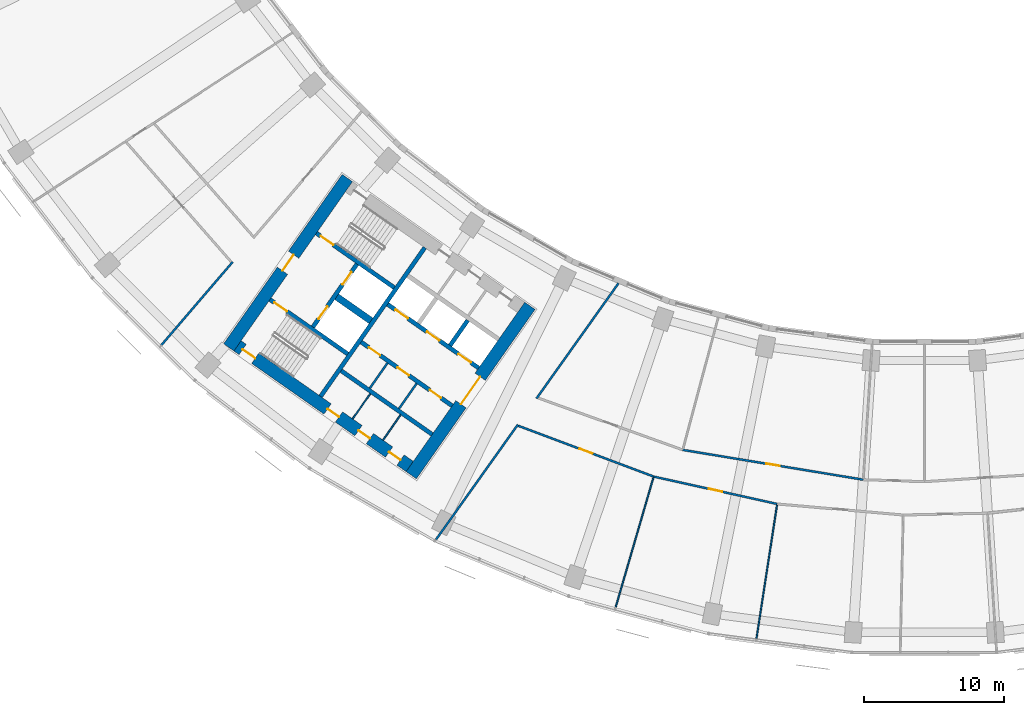
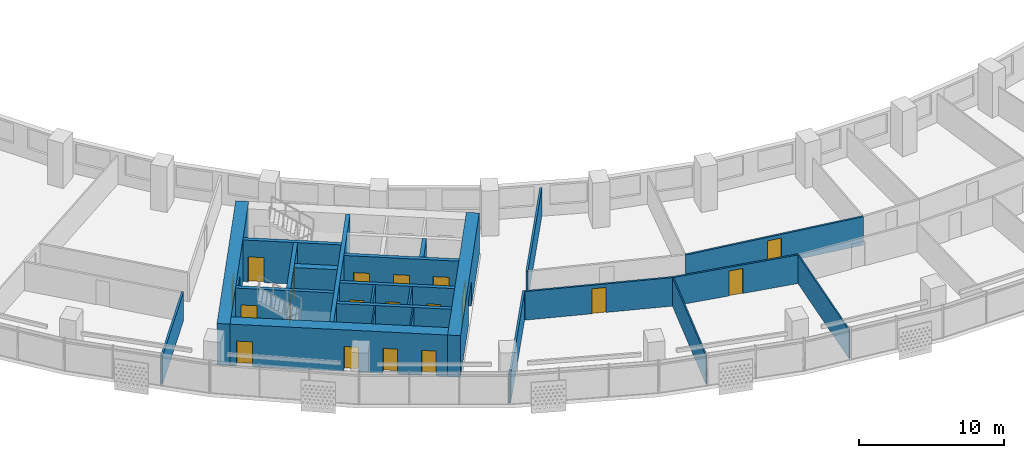
# One storey, part 3 of 29: 24 walls, 19 doors, 19 openings.
"""IFC4 building model written with IfcOpenShell, lengths in metres."""

from ifc_helpers import new_model, si_unit, direction, frame, frame_2d, origin, place, context, subcontext, project, spatial, rectangle, extrude, material, layer, layer_set, type_object, element, fill, save


model = new_model("IFC4")

# Units and contexts
model_context = context("Model", 3, precision=1e-05, world=origin(), true_north=direction((0.0, 1.0)))
body_context = subcontext(model_context, "Body", "Model", "MODEL_VIEW")
ifc_project = project(units=[si_unit("LENGTHUNIT", "METRE"), si_unit("AREAUNIT", "SQUARE_METRE"), si_unit("VOLUMEUNIT", "CUBIC_METRE"), si_unit("PLANEANGLEUNIT", "RADIAN"), si_unit("MASSUNIT", "GRAM", prefix="KILO")], contexts=[model_context])

# Site, building, storey
site_placement = place(None, origin())
site = spatial("IfcSite", under=ifc_project, at=site_placement, CompositionType="ELEMENT")
building_placement = place(site_placement, origin())
building = spatial("IfcBuilding", under=site, at=building_placement, Name="Qamariyya Broadcast Tower", CompositionType="ELEMENT")
storey_placement = place(building_placement, frame((0.0, 0.0, 113.89990234375)))
storey = spatial("IfcBuildingStorey", under=building, at=storey_placement, Name="L25", CompositionType="ELEMENT", Elevation=113.89990234375)

# Wall, opening, door
ifc_material_1 = material(Name="Concrete C70/85", Category="concrete")
ifc_layer_1 = layer(ifc_material_1, 0.89990234375)
ifc_layer_set_1 = layer_set([ifc_layer_1], Name="Core wall 900 mm Concrete C70/85")
wall_type_1 = type_object("IfcWallType", Name="Core wall 900 mm Concrete C70/85", PredefinedType="SHEAR", material=ifc_layer_set_1)
wall_1_placement = place(storey_placement, frame((-36.716796875, -66.3369140625, 0.0), z_axis=(0.0, 0.0, 1.0), x_axis=(0.573577477574, 0.819151315216, 0.0)))
wall_1 = element("IfcWall", 1, at=wall_1_placement, inside=storey, type_object=wall_type_1, Name="k-W-L25-WA", PredefinedType="SHEAR", context=body_context, shape_type="SweptSolid", body=[
    extrude(rectangle(XDim=14.800048828125, YDim=0.89990234375, at=frame_2d((7.39990234375, 0.0))), origin(), (0.0, 0.0, 1.0), 3.5),
])
opening_1_placement = place(wall_1_placement, frame((6.199951171875, 0.0, 0.0)))
opening_1 = element("IfcOpeningElement", 2, at=opening_1_placement, cuts=wall_1, Name="Opening KD3-W1", PredefinedType="OPENING", context=body_context, shape_type="SweptSolid", body=[
    extrude(rectangle(XDim=2.39990234375, YDim=2.10009765625, at=frame_2d((1.199951171875, 1.050048828125))), frame((0.0, 0.4599609375, 0.0), z_axis=(0.0, -1.0, 0.0), x_axis=(1.0, 0.0, 0.0)), (0.0, 0.0, 1.0), 0.919921875),
])
ifc_material_2 = material(Name="Steel fire-resisting door leaf", Category="steel")
door_type_1 = type_object("IfcDoorType", Name="Lift lobby door KD3", OperationType="DOUBLE_DOOR_SINGLE_SWING", PredefinedType="DOOR", material=ifc_material_2)
door_1_placement = place(opening_1_placement, origin())
door_1 = element("IfcDoor", 3, at=door_1_placement, inside=storey, type_object=door_type_1, Name="k-W-L25-WA-D1", OperationType="DOUBLE_DOOR_SINGLE_SWING", OverallHeight=2.10009765625, OverallWidth=2.39990234375, PredefinedType="DOOR", context=body_context, shape_type="SweptSolid", body=[
    extrude(rectangle(XDim=2.39990234375, YDim=2.10009765625, at=frame_2d((1.199951171875, 1.050048828125))), frame((0.0, 0.02490234375, 0.0), z_axis=(0.0, -1.0, 0.0), x_axis=(1.0, 0.0, 0.0)), (0.0, 0.0, 1.0), 0.050048828125),
])
fill(opening_1, door_1)

wall_2_placement = place(storey_placement, frame((-49.778564453125, -57.191162109375, 0.0), z_axis=(0.0, 0.0, 1.0), x_axis=(0.573577477574, 0.819151315216, 0.0)))
wall_2 = element("IfcWall", 4, at=wall_2_placement, inside=storey, type_object=wall_type_1, Name="k-W-L25-WH", PredefinedType="SHEAR", context=body_context, shape_type="SweptSolid", body=[
    extrude(rectangle(XDim=14.800048828125, YDim=0.89990234375, at=frame_2d((7.39990234375, 0.0))), origin(), (0.0, 0.0, 1.0), 3.5),
])
opening_2_placement = place(wall_2_placement, frame((6.699951171875, 0.0, 0.0)))
opening_2 = element("IfcOpeningElement", 5, at=opening_2_placement, cuts=wall_2, Name="Opening KD2-W1", PredefinedType="OPENING", context=body_context, shape_type="SweptSolid", body=[
    extrude(rectangle(XDim=1.39990234375, YDim=2.10009765625, at=frame_2d((0.699951171875, 1.050048828125))), frame((0.0, 0.4599609375, 0.0), z_axis=(0.0, -1.0, 0.0), x_axis=(1.0, 0.0, 0.0)), (0.0, 0.0, 1.0), 0.919921875),
])
door_type_2 = type_object("IfcDoorType", Name="Fire-fighting lobby door KD2", OperationType="DOUBLE_DOOR_SINGLE_SWING", PredefinedType="DOOR", material=ifc_material_2)
door_2_placement = place(opening_2_placement, origin())
door_2 = element("IfcDoor", 6, at=door_2_placement, inside=storey, type_object=door_type_2, Name="k-W-L25-WH-D16", OperationType="DOUBLE_DOOR_SINGLE_SWING", OverallHeight=2.10009765625, OverallWidth=1.39990234375, PredefinedType="DOOR", context=body_context, shape_type="SweptSolid", body=[
    extrude(rectangle(XDim=1.39990234375, YDim=2.10009765625, at=frame_2d((0.699951171875, 1.050048828125))), frame((0.0, 0.02490234375, 0.0), z_axis=(0.0, -1.0, 0.0), x_axis=(1.0, 0.0, 0.0)), (0.0, 0.0, 1.0), 0.050048828125),
])
fill(opening_2, door_2)

# Wall, openings, doors
wall_3_placement = place(storey_placement, frame((-36.827392578125, -65.710205078125, 0.0), z_axis=(0.0, 0.0, 1.0), x_axis=(-0.819153391756, 0.573574511963, 0.0)))
wall_3 = element("IfcWall", 7, at=wall_3_placement, inside=storey, type_object=wall_type_1, Name="k-W-L25-WO", PredefinedType="SHEAR", context=body_context, shape_type="SweptSolid", body=[
    extrude(rectangle(XDim=15.04541015625, YDim=0.89990234375, at=frame_2d((7.522705078125, 0.0))), origin(), (0.0, 0.0, 1.0), 3.5),
])
opening_3_placement = place(wall_3_placement, frame((0.800048828125, 0.0, 0.0)))
opening_3 = element("IfcOpeningElement", 8, at=opening_3_placement, cuts=wall_3, Name="Opening KD4-W2", PredefinedType="OPENING", context=body_context, shape_type="SweptSolid", body=[
    extrude(rectangle(XDim=1.0, YDim=2.10009765625, at=frame_2d((0.5, 1.050048828125))), frame((0.0, 0.4599609375, 0.0), z_axis=(0.0, -1.0, 0.0), x_axis=(1.0, 0.0, 0.0)), (0.0, 0.0, 1.0), 0.919921875),
])
opening_4_placement = place(wall_3_placement, frame((3.47509765625, 0.0, 0.0)))
opening_4 = element("IfcOpeningElement", 9, at=opening_4_placement, cuts=wall_3, Name="Opening KD4-W3", PredefinedType="OPENING", context=body_context, shape_type="SweptSolid", body=[
    extrude(rectangle(XDim=1.0, YDim=2.10009765625, at=frame_2d((0.5, 1.050048828125))), frame((0.0, 0.4599609375, 0.0), z_axis=(0.0, -1.0, 0.0), x_axis=(1.0, 0.0, 0.0)), (0.0, 0.0, 1.0), 0.919921875),
])
opening_5_placement = place(wall_3_placement, frame((6.175048828125, 0.0, 0.0)))
opening_5 = element("IfcOpeningElement", 10, at=opening_5_placement, cuts=wall_3, Name="Opening KD4-W4", PredefinedType="OPENING", context=body_context, shape_type="SweptSolid", body=[
    extrude(rectangle(XDim=1.0, YDim=2.10009765625, at=frame_2d((0.5, 1.050048828125))), frame((0.0, 0.4599609375, 0.0), z_axis=(0.0, -1.0, 0.0), x_axis=(1.0, 0.0, 0.0)), (0.0, 0.0, 1.0), 0.919921875),
])
opening_6_placement = place(wall_3_placement, frame((13.495361328125, 0.0, 0.0)))
opening_6 = element("IfcOpeningElement", 11, at=opening_6_placement, cuts=wall_3, Name="Opening KD1-W3", PredefinedType="OPENING", context=body_context, shape_type="SweptSolid", body=[
    extrude(rectangle(XDim=1.10009765625, YDim=2.10009765625, at=frame_2d((0.550048828125, 1.050048828125))), frame((0.0, 0.4599609375, 0.0), z_axis=(0.0, -1.0, 0.0), x_axis=(1.0, 0.0, 0.0)), (0.0, 0.0, 1.0), 0.919921875),
])
door_type_3 = type_object("IfcDoorType", Name="Riser and plant door KD4", OperationType="SINGLE_SWING_LEFT", PredefinedType="DOOR", material=ifc_material_2)
door_3_placement = place(opening_3_placement, origin())
door_3 = element("IfcDoor", 12, at=door_3_placement, inside=storey, type_object=door_type_3, Name="k-W-L25-WO-D11", OperationType="SINGLE_SWING_RIGHT", OverallHeight=2.10009765625, OverallWidth=1.0, PredefinedType="DOOR", context=body_context, shape_type="SweptSolid", body=[
    extrude(rectangle(XDim=1.0, YDim=2.10009765625, at=frame_2d((0.5, 1.050048828125))), frame((0.0, 0.02490234375, 0.0), z_axis=(0.0, -1.0, 0.0), x_axis=(1.0, 0.0, 0.0)), (0.0, 0.0, 1.0), 0.050048828125),
])
fill(opening_3, door_3)
door_4_placement = place(opening_4_placement, origin())
door_4 = element("IfcDoor", 13, at=door_4_placement, inside=storey, type_object=door_type_3, Name="k-W-L25-WO-D12", OperationType="SINGLE_SWING_LEFT", OverallHeight=2.10009765625, OverallWidth=1.0, PredefinedType="DOOR", context=body_context, shape_type="SweptSolid", body=[
    extrude(rectangle(XDim=1.0, YDim=2.10009765625, at=frame_2d((0.5, 1.050048828125))), frame((0.0, 0.02490234375, 0.0), z_axis=(0.0, -1.0, 0.0), x_axis=(1.0, 0.0, 0.0)), (0.0, 0.0, 1.0), 0.050048828125),
])
fill(opening_4, door_4)
door_5_placement = place(opening_5_placement, origin())
door_5 = element("IfcDoor", 14, at=door_5_placement, inside=storey, type_object=door_type_3, Name="k-W-L25-WO-D13", OperationType="SINGLE_SWING_RIGHT", OverallHeight=2.10009765625, OverallWidth=1.0, PredefinedType="DOOR", context=body_context, shape_type="SweptSolid", body=[
    extrude(rectangle(XDim=1.0, YDim=2.10009765625, at=frame_2d((0.5, 1.050048828125))), frame((0.0, 0.02490234375, 0.0), z_axis=(0.0, -1.0, 0.0), x_axis=(1.0, 0.0, 0.0)), (0.0, 0.0, 1.0), 0.050048828125),
])
fill(opening_5, door_5)
door_type_4 = type_object("IfcDoorType", Name="Stair door KD1", OperationType="SINGLE_SWING_LEFT", PredefinedType="DOOR", material=ifc_material_2)
door_6_placement = place(opening_6_placement, origin())
door_6 = element("IfcDoor", 15, at=door_6_placement, inside=storey, type_object=door_type_4, Name="k-W-L25-WO-D19", OperationType="SINGLE_SWING_LEFT", OverallHeight=2.10009765625, OverallWidth=1.10009765625, PredefinedType="DOOR", context=body_context, shape_type="SweptSolid", body=[
    extrude(rectangle(XDim=1.10009765625, YDim=2.10009765625, at=frame_2d((0.550048828125, 1.050048828125))), frame((0.0, 0.02490234375, 0.0), z_axis=(0.0, -1.0, 0.0), x_axis=(1.0, 0.0, 0.0)), (0.0, 0.0, 1.0), 0.050048828125),
])
fill(opening_6, door_6)

# Walls
ifc_material_3 = material(Name="Gypsum board partition")
ifc_layer_2 = layer(ifc_material_3, 0.14990234375)
ifc_layer_set_2 = layer_set([ifc_layer_2], Name="Corridor partition 150 EI 60")
wall_type_2 = type_object("IfcWallType", Name="Corridor partition 150 EI 60", PredefinedType="PARTITIONING", material=ifc_layer_set_2)
wall_4_placement = place(storey_placement, frame((-49.498779296875, -51.074951171875, 0.0), z_axis=(0.0, 0.0, 1.0), x_axis=(-0.65099144956, -0.759085062823, 0.0)))
element("IfcWall", 16, at=wall_4_placement, inside=storey, type_object=wall_type_2, Name="Partition L25-005", PredefinedType="PARTITIONING", context=body_context, shape_type="SweptSolid", body=[
    extrude(rectangle(XDim=7.83740234375, YDim=0.14990234375, at=frame_2d((3.918701171875, 0.0))), origin(), (0.0, 0.0, 1.0), 2.400146484375),
])
wall_5_placement = place(storey_placement, frame((-29.083984375, -62.710205078125, 0.0), z_axis=(0.0, 0.0, 1.0), x_axis=(-0.580031092611, -0.814594335608, 0.0)))
element("IfcWall", 17, at=wall_5_placement, inside=storey, type_object=wall_type_2, Name="Partition L25-008", PredefinedType="PARTITIONING", context=body_context, shape_type="SweptSolid", body=[
    extrude(rectangle(XDim=10.126220703125, YDim=0.14990234375, at=frame_2d((5.06298828125, 0.0))), origin(), (0.0, 0.0, 1.0), 2.400146484375),
])

# Wall, opening, door
wall_6_placement = place(storey_placement, frame((-19.365966796875, -66.434814453125, 0.0), z_axis=(0.0, 0.0, 1.0), x_axis=(-0.936236096431, 0.351371557956, 0.0)))
wall_6 = element("IfcWall", 18, at=wall_6_placement, inside=storey, type_object=wall_type_2, Name="Partition L25-009", PredefinedType="PARTITIONING", context=body_context, shape_type="SweptSolid", body=[
    extrude(rectangle(XDim=10.3515625, YDim=0.14990234375, at=frame_2d((5.17578125, 0.0))), origin(), (0.0, 0.0, 1.0), 2.400146484375),
])
opening_7_placement = place(wall_6_placement, frame((4.67578125, 0.0, 0.0)))
opening_7 = element("IfcOpeningElement", 19, at=opening_7_placement, cuts=wall_6, Name="Opening L25-D01", PredefinedType="OPENING", context=body_context, shape_type="SweptSolid", body=[
    extrude(rectangle(XDim=1.0, YDim=2.10009765625, at=frame_2d((0.5, 1.050048828125))), frame((0.0, 0.0849609375, 0.0), z_axis=(0.0, -1.0, 0.0), x_axis=(1.0, 0.0, 0.0)), (0.0, 0.0, 1.0), 0.169921875),
])
ifc_material_4 = material(Name="Timber fire door leaf", Category="wood")
door_type_5 = type_object("IfcDoorType", Name="Fire door 1000 x 2100 FD60", OperationType="NOTDEFINED", PredefinedType="DOOR", material=ifc_material_4)
door_7_placement = place(opening_7_placement, origin())
door_7 = element("IfcDoor", 20, at=door_7_placement, inside=storey, type_object=door_type_5, Name="Door L25-D01", OperationType="SINGLE_SWING_RIGHT", OverallHeight=2.10009765625, OverallWidth=1.0, PredefinedType="DOOR", context=body_context, shape_type="SweptSolid", body=[
    extrude(rectangle(XDim=1.0, YDim=2.10009765625, at=frame_2d((0.5, 1.050048828125))), frame((0.0, 0.02490234375, 0.0), z_axis=(0.0, -1.0, 0.0), x_axis=(1.0, 0.0, 0.0)), (0.0, 0.0, 1.0), 0.050048828125),
])
fill(opening_7, door_7)

# Wall
wall_7_placement = place(storey_placement, frame((-21.8837890625, -52.59765625, 0.0), z_axis=(0.0, 0.0, 1.0), x_axis=(-0.580016763963, -0.814604538118, 0.0)))
element("IfcWall", 21, at=wall_7_placement, inside=storey, type_object=wall_type_2, Name="Partition L25-012", PredefinedType="PARTITIONING", context=body_context, shape_type="SweptSolid", body=[
    extrude(rectangle(XDim=10.12109375, YDim=0.14990234375, at=frame_2d((5.060546875, 0.0))), origin(), (0.0, 0.0, 1.0), 2.400146484375),
])

# Wall, opening, door
wall_8_placement = place(storey_placement, frame((-10.52880859375, -68.394287109375, 0.0), z_axis=(0.0, 0.0, 1.0), x_axis=(-0.976288493125, 0.216473504595, 0.0)))
wall_8 = element("IfcWall", 22, at=wall_8_placement, inside=storey, type_object=wall_type_2, Name="Partition L25-013", PredefinedType="PARTITIONING", context=body_context, shape_type="SweptSolid", body=[
    extrude(rectangle(XDim=9.0517578125, YDim=0.14990234375, at=frame_2d((4.52587890625, 0.0))), origin(), (0.0, 0.0, 1.0), 2.400146484375),
])
opening_8_placement = place(wall_8_placement, frame((4.02587890625, 0.0, 0.0)))
opening_8 = element("IfcOpeningElement", 23, at=opening_8_placement, cuts=wall_8, Name="Opening L25-D02", PredefinedType="OPENING", context=body_context, shape_type="SweptSolid", body=[
    extrude(rectangle(XDim=1.0, YDim=2.10009765625, at=frame_2d((0.5, 1.050048828125))), frame((0.0, 0.0849609375, 0.0), z_axis=(0.0, -1.0, 0.0), x_axis=(1.0, 0.0, 0.0)), (0.0, 0.0, 1.0), 0.169921875),
])
door_8_placement = place(opening_8_placement, origin())
door_8 = element("IfcDoor", 24, at=door_8_placement, inside=storey, type_object=door_type_5, Name="Door L25-D02", OperationType="SINGLE_SWING_RIGHT", OverallHeight=2.10009765625, OverallWidth=1.0, PredefinedType="DOOR", context=body_context, shape_type="SweptSolid", body=[
    extrude(rectangle(XDim=1.0, YDim=2.10009765625, at=frame_2d((0.5, 1.050048828125))), frame((0.0, 0.02490234375, 0.0), z_axis=(0.0, -1.0, 0.0), x_axis=(1.0, 0.0, 0.0)), (0.0, 0.0, 1.0), 0.050048828125),
])
fill(opening_8, door_8)

wall_9_placement = place(storey_placement, frame((-17.2890625, -64.52392578125, 0.0), z_axis=(0.0, 0.0, 1.0), x_axis=(0.986644208406, -0.162890165508, 0.0)))
wall_9 = element("IfcWall", 25, at=wall_9_placement, inside=storey, type_object=wall_type_2, Name="Partition L25-014", PredefinedType="PARTITIONING", context=body_context, shape_type="SweptSolid", body=[
    extrude(rectangle(XDim=13.094970703125, YDim=0.14990234375, at=frame_2d((6.54736328125, 0.0))), origin(), (0.0, 0.0, 1.0), 2.400146484375),
])
opening_9_placement = place(wall_9_placement, frame((6.047607421875, 0.0, 0.0)))
opening_9 = element("IfcOpeningElement", 26, at=opening_9_placement, cuts=wall_9, Name="Opening L25-D09", PredefinedType="OPENING", context=body_context, shape_type="SweptSolid", body=[
    extrude(rectangle(XDim=1.0, YDim=2.10009765625, at=frame_2d((0.5, 1.050048828125))), frame((0.0, 0.0849609375, 0.0), z_axis=(0.0, -1.0, 0.0), x_axis=(1.0, 0.0, 0.0)), (0.0, 0.0, 1.0), 0.169921875),
])
door_9_placement = place(opening_9_placement, origin())
door_9 = element("IfcDoor", 27, at=door_9_placement, inside=storey, type_object=door_type_5, Name="Door L25-D09", OperationType="SINGLE_SWING_RIGHT", OverallHeight=2.10009765625, OverallWidth=1.0, PredefinedType="DOOR", context=body_context, shape_type="SweptSolid", body=[
    extrude(rectangle(XDim=1.0, YDim=2.10009765625, at=frame_2d((0.5, 1.050048828125))), frame((0.0, 0.02490234375, 0.0), z_axis=(0.0, -1.0, 0.0), x_axis=(1.0, 0.0, 0.0)), (0.0, 0.0, 1.0), 0.050048828125),
])
fill(opening_9, door_9)

# Walls
ifc_material_5 = material(Name="Concrete C60/75", Category="concrete")
ifc_layer_3 = layer(ifc_material_5, 0.5)
ifc_layer_set_3 = layer_set([ifc_layer_3], Name="Fire-fighting lobby divider wall 500 mm Concrete C60/75")
wall_type_3 = type_object("IfcWallType", Name="Fire-fighting lobby divider wall 500 mm Concrete C60/75", PredefinedType="SOLIDWALL", material=ifc_layer_set_3)
wall_10_placement = place(storey_placement, frame((-39.59912109375, -55.28515625, 0.0), z_axis=(0.0, 0.0, 1.0), x_axis=(-0.819136323161, 0.573598887793, 0.0)))
element("IfcWall", 28, at=wall_10_placement, inside=storey, type_object=wall_type_3, Name="k-W-L25-FD", PredefinedType="SOLIDWALL", context=body_context, shape_type="SweptSolid", body=[
    extrude(rectangle(XDim=2.999755859375, YDim=0.5, at=frame_2d((1.5, 0.0))), origin(), (0.0, 0.0, 1.0), 3.5),
])
ifc_material_6 = material(Name="Gypsum board partition on steel studs", Category="steel")
ifc_layer_4 = layer(ifc_material_6, 0.14990234375)
ifc_layer_set_4 = layer_set([ifc_layer_4], Name="Gypsum board partition 150 mm")
wall_type_4 = type_object("IfcWallType", Name="Gypsum board partition 150 mm", PredefinedType="PARTITIONING", material=ifc_layer_set_4)
for number, where, z_axis, x_axis, name in (
    (29, (-36.330810546875, -59.77099609375, 0.0), (0.0, 0.0, 1.0), (-0.573633636671, -0.819111989218, 0.0), "k-W-L25-SC300"),
    (30, (-38.419677734375, -58.308349609375, 0.0), (0.0, 0.0, 1.0), (-0.573633636671, -0.819111989218, 0.0), "k-W-L25-SC555"),
):
    element("IfcWall", number, at=place(storey_placement, frame(where, z_axis=z_axis, x_axis=x_axis)), inside=storey, type_object=wall_type_4, Name=name, PredefinedType="PARTITIONING", context=body_context, shape_type="SweptSolid", body=[
        extrude(rectangle(XDim=2.199951171875, YDim=0.14990234375, at=frame_2d((1.10009765625, 0.0))), origin(), (0.0, 0.0, 1.0), 3.5),
    ])
ifc_layer_5 = layer(ifc_material_5, 0.300048828125)
ifc_layer_set_5 = layer_set([ifc_layer_5], Name="Lift shaft wall 300 mm Concrete C60/75")
wall_type_5 = type_object("IfcWallType", Name="Lift shaft wall 300 mm Concrete C60/75", PredefinedType="SOLIDWALL", material=ifc_layer_set_5)
wall_11_placement = place(storey_placement, frame((-43.204345703125, -60.69580078125, 0.0), z_axis=(0.0, 0.0, 1.0), x_axis=(0.573571992966, 0.819155155563, 0.0)))
element("IfcWall", 31, at=wall_11_placement, inside=storey, type_object=wall_type_5, Name="k-W-L25-WL", PredefinedType="SOLIDWALL", context=body_context, shape_type="SweptSolid", body=[
    extrude(rectangle(XDim=13.000244140625, YDim=0.300048828125, at=frame_2d((6.5, 0.0))), origin(), (0.0, 0.0, 1.0), 3.5),
])

# Wall, openings, doors
wall_12_placement = place(storey_placement, frame((-31.89453125, -58.66552734375, 0.0), z_axis=(0.0, 0.0, 1.0), x_axis=(-0.819166993208, 0.573555086491, 0.0)))
wall_12 = element("IfcWall", 32, at=wall_12_placement, inside=storey, type_object=wall_type_5, Name="k-W-L25-NF0", PredefinedType="SOLIDWALL", context=body_context, shape_type="SweptSolid", body=[
    extrude(rectangle(XDim=7.9501953125, YDim=0.300048828125, at=frame_2d((3.97509765625, 0.0))), origin(), (0.0, 0.0, 1.0), 3.5),
])
opening_10_placement = place(wall_12_placement, frame((0.675048828125, 0.0, 0.0)))
opening_10 = element("IfcOpeningElement", 33, at=opening_10_placement, cuts=wall_12, Name="Opening LD", PredefinedType="OPENING", context=body_context, shape_type="SweptSolid", body=[
    extrude(rectangle(XDim=1.10009765625, YDim=2.10009765625, at=frame_2d((0.550048828125, 1.050048828125))), frame((0.0, 0.159912109375, 0.0), z_axis=(0.0, -1.0, 0.0), x_axis=(1.0, 0.0, 0.0)), (0.0, 0.0, 1.0), 0.320068359375),
])
opening_11_placement = place(wall_12_placement, frame((3.425048828125, 0.0, 0.0)))
opening_11 = element("IfcOpeningElement", 34, at=opening_11_placement, cuts=wall_12, Name="Opening LD", PredefinedType="OPENING", context=body_context, shape_type="SweptSolid", body=[
    extrude(rectangle(XDim=1.10009765625, YDim=2.10009765625, at=frame_2d((0.550048828125, 1.050048828125))), frame((0.0, 0.159912109375, 0.0), z_axis=(0.0, -1.0, 0.0), x_axis=(1.0, 0.0, 0.0)), (0.0, 0.0, 1.0), 0.320068359375),
])
opening_12_placement = place(wall_12_placement, frame((6.175048828125, 0.0, 0.0)))
opening_12 = element("IfcOpeningElement", 35, at=opening_12_placement, cuts=wall_12, Name="Opening LD", PredefinedType="OPENING", context=body_context, shape_type="SweptSolid", body=[
    extrude(rectangle(XDim=1.10009765625, YDim=2.10009765625, at=frame_2d((0.550048828125, 1.050048828125))), frame((0.0, 0.159912109375, 0.0), z_axis=(0.0, -1.0, 0.0), x_axis=(1.0, 0.0, 0.0)), (0.0, 0.0, 1.0), 0.320068359375),
])
door_type_6 = type_object("IfcDoorType", Name="Lift landing door LD", OperationType="DOUBLE_DOOR_SLIDING", PredefinedType="DOOR", material=ifc_material_2)
door_10_placement = place(opening_10_placement, origin())
door_10 = element("IfcDoor", 36, at=door_10_placement, inside=storey, type_object=door_type_6, Name="k-W-L25-NF0-D2", OperationType="DOUBLE_DOOR_SLIDING", OverallHeight=2.10009765625, OverallWidth=1.10009765625, PredefinedType="DOOR", context=body_context, shape_type="SweptSolid", body=[
    extrude(rectangle(XDim=1.10009765625, YDim=2.10009765625, at=frame_2d((0.550048828125, 1.050048828125))), frame((0.0, 0.02490234375, 0.0), z_axis=(0.0, -1.0, 0.0), x_axis=(1.0, 0.0, 0.0)), (0.0, 0.0, 1.0), 0.050048828125),
])
fill(opening_10, door_10)
door_11_placement = place(opening_11_placement, origin())
door_11 = element("IfcDoor", 37, at=door_11_placement, inside=storey, type_object=door_type_6, Name="k-W-L25-NF0-D3", OperationType="DOUBLE_DOOR_SLIDING", OverallHeight=2.10009765625, OverallWidth=1.10009765625, PredefinedType="DOOR", context=body_context, shape_type="SweptSolid", body=[
    extrude(rectangle(XDim=1.10009765625, YDim=2.10009765625, at=frame_2d((0.550048828125, 1.050048828125))), frame((0.0, 0.02490234375, 0.0), z_axis=(0.0, -1.0, 0.0), x_axis=(1.0, 0.0, 0.0)), (0.0, 0.0, 1.0), 0.050048828125),
])
fill(opening_11, door_11)
door_12_placement = place(opening_12_placement, origin())
door_12 = element("IfcDoor", 38, at=door_12_placement, inside=storey, type_object=door_type_6, Name="k-W-L25-NF0-D4", OperationType="DOUBLE_DOOR_SLIDING", OverallHeight=2.10009765625, OverallWidth=1.10009765625, PredefinedType="DOOR", context=body_context, shape_type="SweptSolid", body=[
    extrude(rectangle(XDim=1.10009765625, YDim=2.10009765625, at=frame_2d((0.550048828125, 1.050048828125))), frame((0.0, 0.02490234375, 0.0), z_axis=(0.0, -1.0, 0.0), x_axis=(1.0, 0.0, 0.0)), (0.0, 0.0, 1.0), 0.050048828125),
])
fill(opening_12, door_12)

# Wall
wall_13_placement = place(storey_placement, frame((-33.9384765625, -57.051513671875, 0.0), z_axis=(0.0, 0.0, 1.0), x_axis=(0.573581496053, 0.819148501424, 0.0)))
element("IfcWall", 39, at=wall_13_placement, inside=storey, type_object=wall_type_5, Name="k-W-L25-ND0", PredefinedType="SOLIDWALL", context=body_context, shape_type="SweptSolid", body=[
    extrude(rectangle(XDim=2.2001953125, YDim=0.300048828125, at=frame_2d((1.10009765625, 0.0))), origin(), (0.0, 0.0, 1.0), 3.5),
])

# Wall, openings, doors
wall_14_placement = place(storey_placement, frame((-33.787353515625, -61.368896484375, 0.0), z_axis=(0.0, 0.0, 1.0), x_axis=(-0.819152564888, 0.573575692858, 0.0)))
wall_14 = element("IfcWall", 40, at=wall_14_placement, inside=storey, type_object=wall_type_5, Name="k-W-L25-SF0", PredefinedType="SOLIDWALL", context=body_context, shape_type="SweptSolid", body=[
    extrude(rectangle(XDim=7.9501953125, YDim=0.300048828125, at=frame_2d((3.97509765625, 0.0))), origin(), (0.0, 0.0, 1.0), 3.5),
])
opening_13_placement = place(wall_14_placement, frame((0.96240234375, 0.0, 0.0)))
opening_13 = element("IfcOpeningElement", 41, at=opening_13_placement, cuts=wall_14, Name="Opening KD6-W1", PredefinedType="OPENING", context=body_context, shape_type="SweptSolid", body=[
    extrude(rectangle(XDim=1.0, YDim=2.10009765625, at=frame_2d((0.5, 1.050048828125))), frame((0.0, 0.159912109375, 0.0), z_axis=(0.0, -1.0, 0.0), x_axis=(1.0, 0.0, 0.0)), (0.0, 0.0, 1.0), 0.320068359375),
])
opening_14_placement = place(wall_14_placement, frame((3.77490234375, 0.0, 0.0)))
opening_14 = element("IfcOpeningElement", 42, at=opening_14_placement, cuts=wall_14, Name="Opening KD4-W1", PredefinedType="OPENING", context=body_context, shape_type="SweptSolid", body=[
    extrude(rectangle(XDim=1.0, YDim=2.10009765625, at=frame_2d((0.5, 1.050048828125))), frame((0.0, 0.159912109375, 0.0), z_axis=(0.0, -1.0, 0.0), x_axis=(1.0, 0.0, 0.0)), (0.0, 0.0, 1.0), 0.320068359375),
])
opening_15_placement = place(wall_14_placement, frame((6.28759765625, 0.0, 0.0)))
opening_15 = element("IfcOpeningElement", 43, at=opening_15_placement, cuts=wall_14, Name="Opening KD6-W2", PredefinedType="OPENING", context=body_context, shape_type="SweptSolid", body=[
    extrude(rectangle(XDim=1.0, YDim=2.10009765625, at=frame_2d((0.5, 1.050048828125))), frame((0.0, 0.159912109375, 0.0), z_axis=(0.0, -1.0, 0.0), x_axis=(1.0, 0.0, 0.0)), (0.0, 0.0, 1.0), 0.320068359375),
])
door_type_7 = type_object("IfcDoorType", Name="Core room door KD6", OperationType="SINGLE_SWING_LEFT", PredefinedType="DOOR", material=ifc_material_2)
door_13_placement = place(opening_13_placement, origin())
door_13 = element("IfcDoor", 44, at=door_13_placement, inside=storey, type_object=door_type_7, Name="k-W-L25-SF0-D5", OperationType="SINGLE_SWING_RIGHT", OverallHeight=2.10009765625, OverallWidth=1.0, PredefinedType="DOOR", context=body_context, shape_type="SweptSolid", body=[
    extrude(rectangle(XDim=1.0, YDim=2.10009765625, at=frame_2d((0.5, 1.050048828125))), frame((0.0, 0.02490234375, 0.0), z_axis=(0.0, -1.0, 0.0), x_axis=(1.0, 0.0, 0.0)), (0.0, 0.0, 1.0), 0.050048828125),
])
fill(opening_13, door_13)
door_14_placement = place(opening_15_placement, origin())
door_14 = element("IfcDoor", 45, at=door_14_placement, inside=storey, type_object=door_type_7, Name="k-W-L25-SF0-D7", OperationType="SINGLE_SWING_RIGHT", OverallHeight=2.10009765625, OverallWidth=1.0, PredefinedType="DOOR", context=body_context, shape_type="SweptSolid", body=[
    extrude(rectangle(XDim=1.0, YDim=2.10009765625, at=frame_2d((0.5, 1.050048828125))), frame((0.0, 0.02490234375, 0.0), z_axis=(0.0, -1.0, 0.0), x_axis=(1.0, 0.0, 0.0)), (0.0, 0.0, 1.0), 0.050048828125),
])
fill(opening_15, door_14)
door_15_placement = place(opening_14_placement, origin())
door_15 = element("IfcDoor", 46, at=door_15_placement, inside=storey, type_object=door_type_3, Name="k-W-L25-SF0-D6", OperationType="SINGLE_SWING_LEFT", OverallHeight=2.10009765625, OverallWidth=1.0, PredefinedType="DOOR", context=body_context, shape_type="SweptSolid", body=[
    extrude(rectangle(XDim=1.0, YDim=2.10009765625, at=frame_2d((0.5, 1.050048828125))), frame((0.0, 0.02490234375, 0.0), z_axis=(0.0, -1.0, 0.0), x_axis=(1.0, 0.0, 0.0)), (0.0, 0.0, 1.0), 0.050048828125),
])
fill(opening_14, door_15)

# Wall
wall_15_placement = place(storey_placement, frame((-35.22119140625, -63.41650390625, 0.0), z_axis=(0.0, 0.0, 1.0), x_axis=(-0.819166993208, 0.573555086491, 0.0)))
element("IfcWall", 47, at=wall_15_placement, inside=storey, type_object=wall_type_5, Name="k-W-L25-SB0", PredefinedType="SOLIDWALL", context=body_context, shape_type="SweptSolid", body=[
    extrude(rectangle(XDim=7.9501953125, YDim=0.300048828125, at=frame_2d((3.97509765625, 0.0))), origin(), (0.0, 0.0, 1.0), 3.5),
])

# Wall, opening, door
wall_16_placement = place(storey_placement, frame((-37.935546875, -52.90966796875, 0.0), z_axis=(0.0, 0.0, 1.0), x_axis=(-0.819147518138, 0.57358290031, 0.0)))
wall_16 = element("IfcWall", 48, at=wall_16_placement, inside=storey, type_object=wall_type_5, Name="k-W-L25-NW", PredefinedType="SOLIDWALL", context=body_context, shape_type="SweptSolid", body=[
    extrude(rectangle(XDim=6.79541015625, YDim=0.300048828125, at=frame_2d((3.397705078125, 0.0))), origin(), (0.0, 0.0, 1.0), 3.5),
])
opening_16_placement = place(wall_16_placement, frame((5.3203125, 0.0, 0.0)))
opening_16 = element("IfcOpeningElement", 49, at=opening_16_placement, cuts=wall_16, Name="Opening KD1-W2", PredefinedType="OPENING", context=body_context, shape_type="SweptSolid", body=[
    extrude(rectangle(XDim=1.10009765625, YDim=2.10009765625, at=frame_2d((0.550048828125, 1.050048828125))), frame((0.0, 0.159912109375, 0.0), z_axis=(0.0, -1.0, 0.0), x_axis=(1.0, 0.0, 0.0)), (0.0, 0.0, 1.0), 0.320068359375),
])
door_16_placement = place(opening_16_placement, origin())
door_16 = element("IfcDoor", 50, at=door_16_placement, inside=storey, type_object=door_type_4, Name="k-W-L25-NW-D18", OperationType="SINGLE_SWING_LEFT", OverallHeight=2.10009765625, OverallWidth=1.10009765625, PredefinedType="DOOR", context=body_context, shape_type="SweptSolid", body=[
    extrude(rectangle(XDim=1.10009765625, YDim=2.10009765625, at=frame_2d((0.550048828125, 1.050048828125))), frame((0.0, 0.02490234375, 0.0), z_axis=(0.0, -1.0, 0.0), x_axis=(1.0, 0.0, 0.0)), (0.0, 0.0, 1.0), 0.050048828125),
])
fill(opening_16, door_16)

wall_17_placement = place(storey_placement, frame((-41.262451171875, -57.66064453125, 0.0), z_axis=(0.0, 0.0, 1.0), x_axis=(-0.819164398642, 0.573558792102, 0.0)))
wall_17 = element("IfcWall", 51, at=wall_17_placement, inside=storey, type_object=wall_type_5, Name="k-W-L25-SW", PredefinedType="SOLIDWALL", context=body_context, shape_type="SweptSolid", body=[
    extrude(rectangle(XDim=6.795166015625, YDim=0.300048828125, at=frame_2d((3.3974609375, 0.0))), origin(), (0.0, 0.0, 1.0), 3.5),
])
opening_17_placement = place(wall_17_placement, frame((5.3203125, 0.0, 0.0)))
opening_17 = element("IfcOpeningElement", 52, at=opening_17_placement, cuts=wall_17, Name="Opening KD1-W4", PredefinedType="OPENING", context=body_context, shape_type="SweptSolid", body=[
    extrude(rectangle(XDim=1.10009765625, YDim=2.10009765625, at=frame_2d((0.550048828125, 1.050048828125))), frame((0.0, 0.159912109375, 0.0), z_axis=(0.0, -1.0, 0.0), x_axis=(1.0, 0.0, 0.0)), (0.0, 0.0, 1.0), 0.320068359375),
])
door_17_placement = place(opening_17_placement, origin())
door_17 = element("IfcDoor", 53, at=door_17_placement, inside=storey, type_object=door_type_4, Name="k-W-L25-SW-D20", OperationType="SINGLE_SWING_LEFT", OverallHeight=2.10009765625, OverallWidth=1.10009765625, PredefinedType="DOOR", context=body_context, shape_type="SweptSolid", body=[
    extrude(rectangle(XDim=1.10009765625, YDim=2.10009765625, at=frame_2d((0.550048828125, 1.050048828125))), frame((0.0, 0.02490234375, 0.0), z_axis=(0.0, -1.0, 0.0), x_axis=(1.0, 0.0, 0.0)), (0.0, 0.0, 1.0), 0.050048828125),
])
fill(opening_17, door_17)

# Wall, openings, doors
wall_18_placement = place(storey_placement, frame((-43.756591796875, -55.731201171875, 0.0), z_axis=(0.0, 0.0, 1.0), x_axis=(0.573536818435, 0.819179783625, 0.0)))
wall_18 = element("IfcWall", 54, at=wall_18_placement, inside=storey, type_object=wall_type_5, Name="k-W-L25-FF", PredefinedType="SOLIDWALL", context=body_context, shape_type="SweptSolid", body=[
    extrude(rectangle(XDim=5.500244140625, YDim=0.300048828125, at=frame_2d((2.75, 0.0))), origin(), (0.0, 0.0, 1.0), 3.5),
])
opening_18_placement = place(wall_18_placement, frame((0.699951171875, 0.0, 0.0)))
opening_18 = element("IfcOpeningElement", 55, at=opening_18_placement, cuts=wall_18, Name="Opening LD", PredefinedType="OPENING", context=body_context, shape_type="SweptSolid", body=[
    extrude(rectangle(XDim=1.10009765625, YDim=2.10009765625, at=frame_2d((0.550048828125, 1.050048828125))), frame((0.0, 0.159912109375, 0.0), z_axis=(0.0, -1.0, 0.0), x_axis=(1.0, 0.0, 0.0)), (0.0, 0.0, 1.0), 0.320068359375),
])
opening_19_placement = place(wall_18_placement, frame((3.699951171875, 0.0, 0.0)))
opening_19 = element("IfcOpeningElement", 56, at=opening_19_placement, cuts=wall_18, Name="Opening LD", PredefinedType="OPENING", context=body_context, shape_type="SweptSolid", body=[
    extrude(rectangle(XDim=1.10009765625, YDim=2.10009765625, at=frame_2d((0.550048828125, 1.050048828125))), frame((0.0, 0.159912109375, 0.0), z_axis=(0.0, -1.0, 0.0), x_axis=(1.0, 0.0, 0.0)), (0.0, 0.0, 1.0), 0.320068359375),
])
door_18_placement = place(opening_18_placement, origin())
door_18 = element("IfcDoor", 57, at=door_18_placement, inside=storey, type_object=door_type_6, Name="k-W-L25-FF-D14", OperationType="DOUBLE_DOOR_SLIDING", OverallHeight=2.10009765625, OverallWidth=1.10009765625, PredefinedType="DOOR", context=body_context, shape_type="SweptSolid", body=[
    extrude(rectangle(XDim=1.10009765625, YDim=2.10009765625, at=frame_2d((0.550048828125, 1.050048828125))), frame((0.0, 0.02490234375, 0.0), z_axis=(0.0, -1.0, 0.0), x_axis=(1.0, 0.0, 0.0)), (0.0, 0.0, 1.0), 0.050048828125),
])
fill(opening_18, door_18)
door_19_placement = place(opening_19_placement, origin())
door_19 = element("IfcDoor", 58, at=door_19_placement, inside=storey, type_object=door_type_6, Name="k-W-L25-FF-D15", OperationType="DOUBLE_DOOR_SLIDING", OverallHeight=2.10009765625, OverallWidth=1.10009765625, PredefinedType="DOOR", context=body_context, shape_type="SweptSolid", body=[
    extrude(rectangle(XDim=1.10009765625, YDim=2.10009765625, at=frame_2d((0.550048828125, 1.050048828125))), frame((0.0, 0.02490234375, 0.0), z_axis=(0.0, -1.0, 0.0), x_axis=(1.0, 0.0, 0.0)), (0.0, 0.0, 1.0), 0.050048828125),
])
fill(opening_19, door_19)

# Walls
ifc_layer_6 = layer(ifc_material_3, 0.10009765625)
ifc_layer_set_6 = layer_set([ifc_layer_6], Name="Partition 100")
wall_type_6 = type_object("IfcWallType", Name="Partition 100", PredefinedType="PARTITIONING", material=ifc_layer_set_6)
for number, where, z_axis, x_axis, name in (
    (59, (-22.09423828125, -75.79443359375, 0.0), (0.0, 0.0, 1.0), (0.279846881911, 0.960044646194, 0.0), "Partition L25-011"),
    (60, (-12.01220703125, -78.030029296875, 0.0), (0.0, 0.0, 1.0), (0.152150105958, 0.988357397532, 0.0), "Partition L25-016"),
):
    element("IfcWall", number, at=place(storey_placement, frame(where, z_axis=z_axis, x_axis=x_axis)), inside=storey, type_object=wall_type_6, Name=name, PredefinedType="PARTITIONING", context=body_context, shape_type="SweptSolid", body=[
        extrude(rectangle(XDim=9.674072265625, YDim=0.10009765625, at=frame_2d((4.8369140625, 0.0))), origin(), (0.0, 0.0, 1.0), 2.400146484375),
    ])
ifc_material_7 = material(Name="Fire-rated gypsum shaft liner on steel studs", Category="steel")
ifc_layer_7 = layer(ifc_material_7, 0.10009765625)
ifc_layer_set_7 = layer_set([ifc_layer_7], Name="Riser wall 100 mm")
wall_type_7 = type_object("IfcWallType", Name="Riser wall 100 mm", PredefinedType="PLUMBINGWALL", material=ifc_layer_set_7)
wall_19_placement = place(storey_placement, frame((-37.47802734375, -62.01953125, 0.0), z_axis=(0.0, 0.0, 1.0), x_axis=(-0.573581496053, -0.819148501424, 0.0)))
element("IfcWall", 61, at=wall_19_placement, inside=storey, type_object=wall_type_7, Name="k-W-L25-SP265", PredefinedType="PLUMBINGWALL", context=body_context, shape_type="SweptSolid", body=[
    extrude(rectangle(XDim=2.2001953125, YDim=0.10009765625, at=frame_2d((1.10009765625, 0.0))), origin(), (0.0, 0.0, 1.0), 3.5),
])
wall_20_placement = place(storey_placement, frame((-39.64892578125, -60.49951171875, 0.0), z_axis=(0.0, 0.0, 1.0), x_axis=(-0.573507030513, -0.819200638399, 0.0)))
element("IfcWall", 62, at=wall_20_placement, inside=storey, type_object=wall_type_7, Name="k-W-L25-SP530", PredefinedType="PLUMBINGWALL", context=body_context, shape_type="SweptSolid", body=[
    extrude(rectangle(XDim=2.199951171875, YDim=0.10009765625, at=frame_2d((1.10009765625, 0.0))), origin(), (0.0, 0.0, 1.0), 3.5),
])

save(model, "model.ifc")
